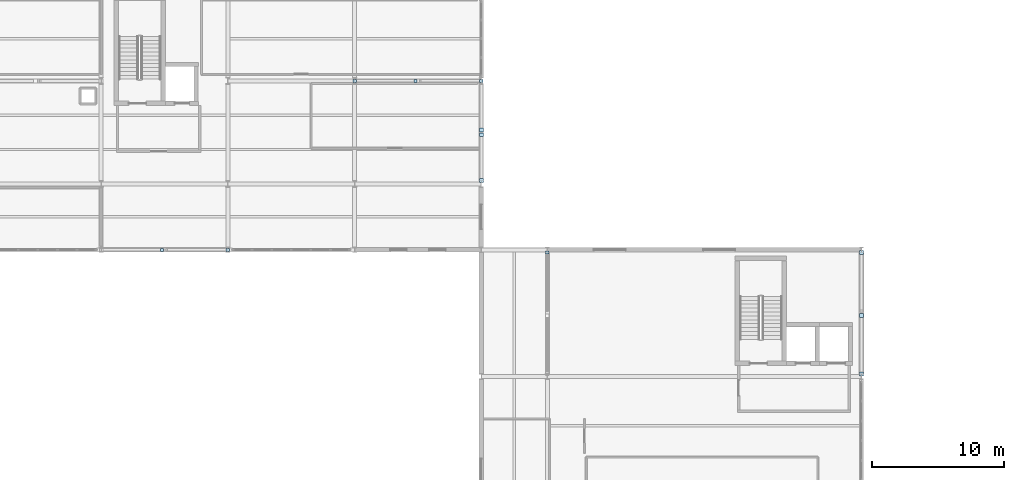
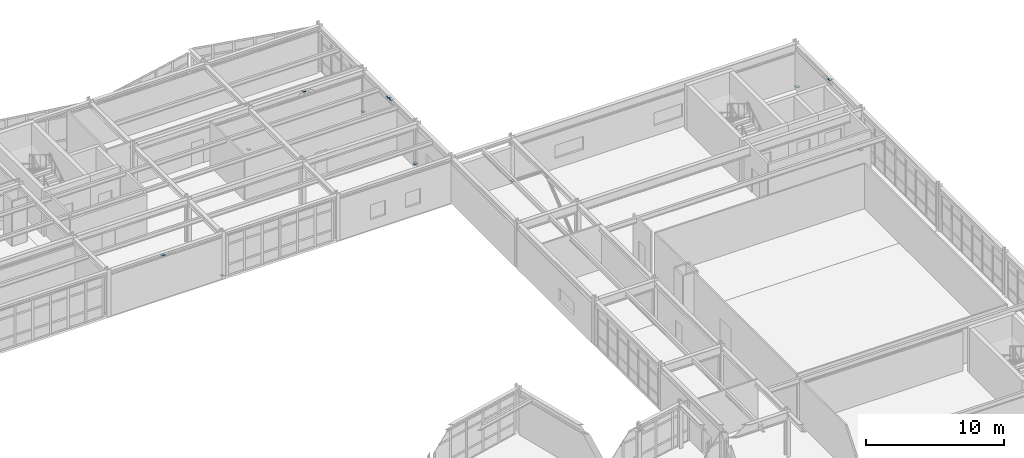
# One storey, part 67 of 88: 12 plates.
"""IFC4 building model written with IfcOpenShell, lengths in metres."""

from ifc_helpers import new_model, si_unit, direction, frame, origin, origin_2d, place, context, subcontext, project, spatial, rectangle, extrude, material, layer, layer_set, type_object, element, save


model = new_model("IFC4")

# Units and contexts
model_context = context("Model", 3, precision=1e-05, world=origin(), true_north=direction((0.0, 1.0)))
body_context = subcontext(model_context, "Body", "Model", "MODEL_VIEW")
ifc_project = project(units=[si_unit("LENGTHUNIT", "METRE"), si_unit("AREAUNIT", "SQUARE_METRE"), si_unit("VOLUMEUNIT", "CUBIC_METRE"), si_unit("PLANEANGLEUNIT", "RADIAN"), si_unit("MASSUNIT", "GRAM", prefix="KILO")], contexts=[model_context])

# Site, building, storey
site_placement = place(None, origin())
site = spatial("IfcSite", under=ifc_project, at=site_placement, CompositionType="ELEMENT")
building_placement = place(site_placement, origin())
building = spatial("IfcBuilding", under=site, at=building_placement, Name="Nordkorset Police Headquarters", CompositionType="ELEMENT")
storey_placement = place(building_placement, frame((0.0, 0.0, 9.449951171875)))
storey = spatial("IfcBuildingStorey", under=building, at=storey_placement, Name="L02", CompositionType="ELEMENT", Elevation=9.449951171875)

# Plates
ifc_material = material(Name="Steel S355J2", Category="steel")
ifc_layer = layer(ifc_material, 0.02001953125, Name="Steel S355J2")
ifc_layer_set = layer_set([ifc_layer], Name="Steel S355J2")
plate_type = type_object("IfcPlateType", Name="SteelPlate_20mm", PredefinedType="SHEET", material=ifc_layer_set)
for number, where, z_axis, x_axis, name in (
    (1, (76.807373046875, 110.39990234375, 0.18994140625), (0.0, 0.0, 1.0), (1.0, 0.0, 0.0), "Hollow Section End Cap Plate BF-V2-B-L02-D1-0"),
    (2, (81.419921875, 110.39990234375, 3.739990234375), (0.0, 0.0, 1.0), (1.0, 0.0, 0.0), "Hollow Section End Cap Plate BF-V2-B-L02-D1-1"),
    (3, (86.392578125, 110.39990234375, 0.18994140625), (0.0, 0.0, 1.0), (1.0, 0.0, 0.0), "Hollow Section End Cap Plate BF-V2-B-L02-D2-0"),
):
    element("IfcPlate", number, at=place(storey_placement, frame(where, z_axis=z_axis, x_axis=x_axis)), inside=storey, type_object=plate_type, Name=name, PredefinedType="SHEET", context=body_context, shape_type="SweptSolid", body=[
        extrude(rectangle(XDim=0.239990234375, YDim=0.239990234375, at=origin_2d()), origin(), (0.0, 0.0, 1.0), 0.02001953125),
    ])
plate_placement = place(storey_placement, frame((91.39990234375, 97.39990234375, 0.18994140625), z_axis=(0.0, 0.0, 1.0), x_axis=(1.0, 0.0, 0.0)))
element("IfcPlate", 4, at=plate_placement, inside=storey, type_object=plate_type, Name="Hollow Section End Cap Plate BF-V5-A-L02-D2-0", PredefinedType="SHEET", context=body_context, shape_type="SweptSolid", body=[
    extrude(rectangle(XDim=0.259033203125, YDim=0.259033203125, at=origin_2d()), origin(), (0.0, 0.0, 1.0), 0.02001953125),
])
for number, where, z_axis, x_axis, name in (
    (5, (86.39990234375, 102.85009765625, 0.18994140625), (0.0, 0.0, 1.0), (1.0, 0.0, 0.0), "Hollow Section End Cap Plate BF-EXT-V2E-L02-D1-0"),
    (6, (86.39990234375, 106.320068359375, 3.739990234375), (0.0, 0.0, 1.0), (1.0, 0.0, 0.0), "Hollow Section End Cap Plate BF-EXT-V2E-L02-D1-1"),
    (7, (86.39990234375, 106.679931640625, 3.739990234375), (0.0, 0.0, 1.0), (1.0, 0.0, 0.0), "Hollow Section End Cap Plate BF-EXT-V2E-L02-D2-1"),
):
    element("IfcPlate", number, at=place(storey_placement, frame(where, z_axis=z_axis, x_axis=x_axis)), inside=storey, type_object=plate_type, Name=name, PredefinedType="SHEET", context=body_context, shape_type="SweptSolid", body=[
        extrude(rectangle(XDim=0.2900390625, YDim=0.2900390625, at=origin_2d()), origin(), (0.0, 0.0, 1.0), 0.02001953125),
    ])
for number, where, z_axis, x_axis, name in (
    (8, (62.219970703125, 97.60009765625, 3.739990234375), (0.0, 0.0, 1.0), (1.0, 0.0, 0.0), "Hollow Section End Cap Plate BF-EXT-V2S-L02-D1-1"),
    (9, (67.193359375, 97.60009765625, 0.18994140625), (0.0, 0.0, 1.0), (1.0, 0.0, 0.0), "Hollow Section End Cap Plate BF-EXT-V2S-L02-D2-0"),
):
    element("IfcPlate", number, at=place(storey_placement, frame(where, z_axis=z_axis, x_axis=x_axis)), inside=storey, type_object=plate_type, Name=name, PredefinedType="SHEET", context=body_context, shape_type="SweptSolid", body=[
        extrude(rectangle(XDim=0.239990234375, YDim=0.239990234375, at=origin_2d()), origin(), (0.0, 0.0, 1.0), 0.02001953125),
    ])
for number, where, z_axis, x_axis, name in (
    (10, (115.199951171875, 88.199951171875, 0.18994140625), (0.0, 0.0, 1.0), (1.0, 0.0, 0.0), "Hollow Section End Cap Plate BF-EXT-V5E4-L02-D1-0"),
    (11, (115.199951171875, 92.6201171875, 3.739990234375), (0.0, 0.0, 1.0), (1.0, 0.0, 0.0), "Hollow Section End Cap Plate BF-EXT-V5E4-L02-D1-1"),
    (12, (115.199951171875, 97.39990234375, 0.18994140625), (0.0, 0.0, 1.0), (1.0, 0.0, 0.0), "Hollow Section End Cap Plate BF-EXT-V5E4-L02-D2-0"),
):
    element("IfcPlate", number, at=place(storey_placement, frame(where, z_axis=z_axis, x_axis=x_axis)), inside=storey, type_object=plate_type, Name=name, PredefinedType="SHEET", context=body_context, shape_type="SweptSolid", body=[
        extrude(rectangle(XDim=0.2900390625, YDim=0.2900390625, at=origin_2d()), origin(), (0.0, 0.0, 1.0), 0.02001953125),
    ])

save(model, "model.ifc")
